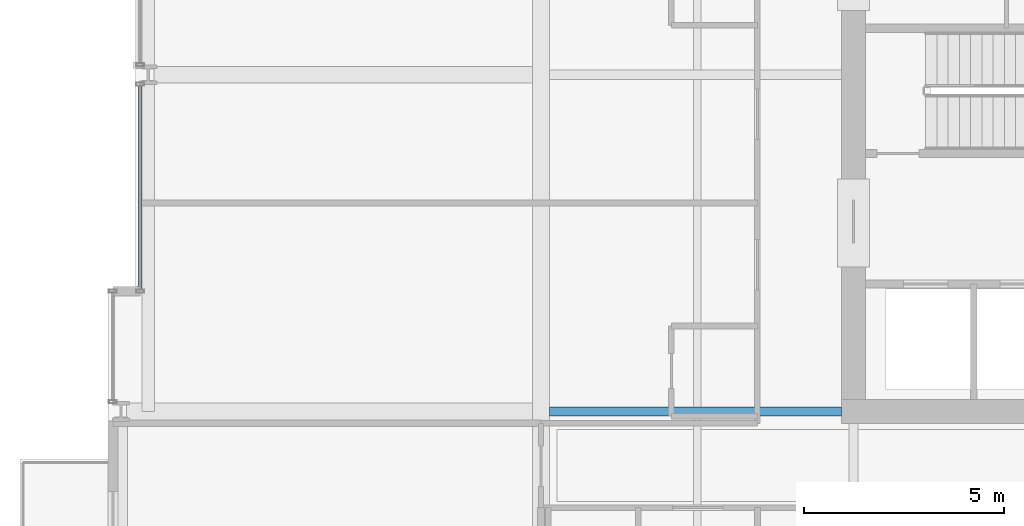
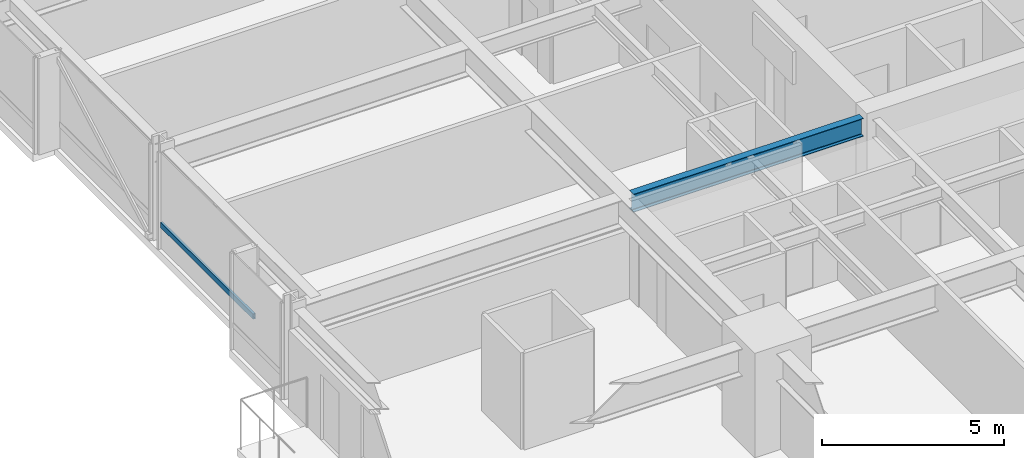
# One storey, part 8 of 38: 1 beam, 1 member, 1 element without a shape of its own.
"""IFC4 building model written with IfcOpenShell, lengths in metres."""

from ifc_helpers import new_model, si_unit, direction, frame, origin, origin_2d, place, context, subcontext, project, spatial, hollow_rectangle, i_section, extrude, material, layer, layer_set, material_profile, profile_set, type_object, element, aggregate, save


model = new_model("IFC4")

# Units and contexts
model_context = context("Model", 3, precision=1e-05, world=origin(), true_north=direction((0.0, 1.0)))
body_context = subcontext(model_context, "Body", "Model", "MODEL_VIEW")
ifc_project = project(units=[si_unit("LENGTHUNIT", "METRE"), si_unit("AREAUNIT", "SQUARE_METRE"), si_unit("VOLUMEUNIT", "CUBIC_METRE"), si_unit("PLANEANGLEUNIT", "RADIAN"), si_unit("MASSUNIT", "GRAM", prefix="KILO")], contexts=[model_context])

# Site, building, storey
site_placement = place(None, origin())
site = spatial("IfcSite", under=ifc_project, at=site_placement, CompositionType="ELEMENT")
building_placement = place(site_placement, origin())
building = spatial("IfcBuilding", under=site, at=building_placement, Name="Drelvath Grand Hotel", CompositionType="ELEMENT")
storey_placement = place(building_placement, frame((0.0, 0.0, 57.699951171875)))
storey = spatial("IfcBuildingStorey", under=building, at=storey_placement, Name="L13", CompositionType="ELEMENT", Elevation=57.699951171875)

# Curtain wall, member
ifc_material_1 = material(Name="Warm Bronze Anodised Aluminium Frame", Category="aluminium")
ifc_layer = layer(ifc_material_1, 0.199951171875)
ifc_layer_set = layer_set([ifc_layer], Name="Warm Bronze Anodised Aluminium Frame")
curtain_wall_type = type_object("IfcCurtainWallType", Name="Stick Curtain Wall CW-02 Warm Bronze Low-Rise", PredefinedType="NOTDEFINED", material=ifc_layer_set)
curtain_wall_placement = place(storey_placement, origin())
curtain_wall = element("IfcCurtainWall", 1, at=curtain_wall_placement, inside=storey, type_object=curtain_wall_type, Name="L13 CW-02 Curtain Wall CW02-L13-WM1", PredefinedType="NOTDEFINED")
ifc_material_profile_1 = material_profile(ifc_material_1, hollow_rectangle(XDim=0.074951171875, YDim=0.179931640625, WallThickness=0.0048828125, at=origin_2d()), Name="HSS180X75X5")
ifc_profile_set_1 = profile_set([ifc_material_profile_1], Name="Warm Bronze Anodised Aluminium Frame")
member_type = type_object("IfcMemberType", Name="Curtain Wall Horizontal Transom CW-02 HSS180X75X5", PredefinedType="USERDEFINED", material=ifc_profile_set_1)
member_placement = place(storey_placement, frame((-26.199951171875, 21.639892578125, 0.81005859375), z_axis=(0.0, 1.0, 0.0), x_axis=(-1.0, 0.0, 0.0)))
member = element("IfcMember", 2, at=member_placement, type_object=member_type, Name="CW02-L13-WM1 Sill Transom", ObjectType="TRANSOM", PredefinedType="USERDEFINED", context=body_context, shape_type="SweptSolid", body=[
    extrude(hollow_rectangle(XDim=0.074951171875, YDim=0.179931640625, WallThickness=0.0048828125, at=origin_2d()), origin(), (0.0, 0.0, 1.0), 5.0791015625),
])
aggregate(curtain_wall, [member])

# Beam
ifc_material_2 = material(Name="Steel ASTM A992 Gr 50", Category="steel")
ifc_material_profile_2 = material_profile(ifc_material_2, i_section(OverallWidth=0.228271484375, OverallDepth=0.607666015625, WebThickness=0.01123046875, FlangeThickness=0.017333984375, FilletRadius=0.02001953125, at=origin_2d()), Name="W24X76")
ifc_profile_set_2 = profile_set([ifc_material_profile_2], Name="Steel ASTM A992 Gr 50")
beam_type = type_object("IfcBeamType", Name="Primary Floor Girder W24X76", PredefinedType="BEAM", material=ifc_profile_set_2)
beam_placement = place(storey_placement, frame((-15.99072265625, 18.60009765625, 2.936279296875), z_axis=(1.0, 0.0, 0.0), x_axis=(0.0, 1.0, 0.0)))
element("IfcBeam", 3, at=beam_placement, inside=storey, type_object=beam_type, Name="L13 West Core Tie D", PredefinedType="BEAM", context=body_context, shape_type="SweptSolid", body=[
    extrude(i_section(OverallWidth=0.228271484375, OverallDepth=0.607666015625, WebThickness=0.01123046875, FlangeThickness=0.017333984375, FilletRadius=0.02001953125, at=origin_2d()), origin(), (0.0, 0.0, 1.0), 7.290771484375),
])

save(model, "model.ifc")
